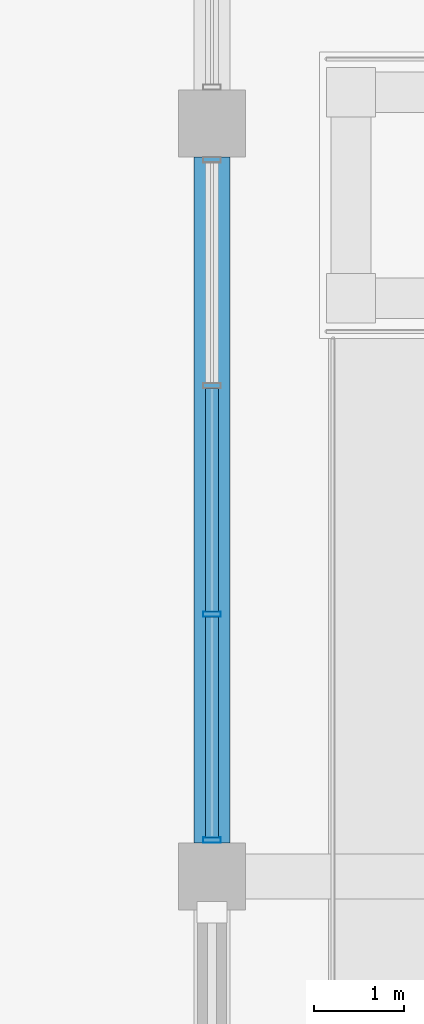
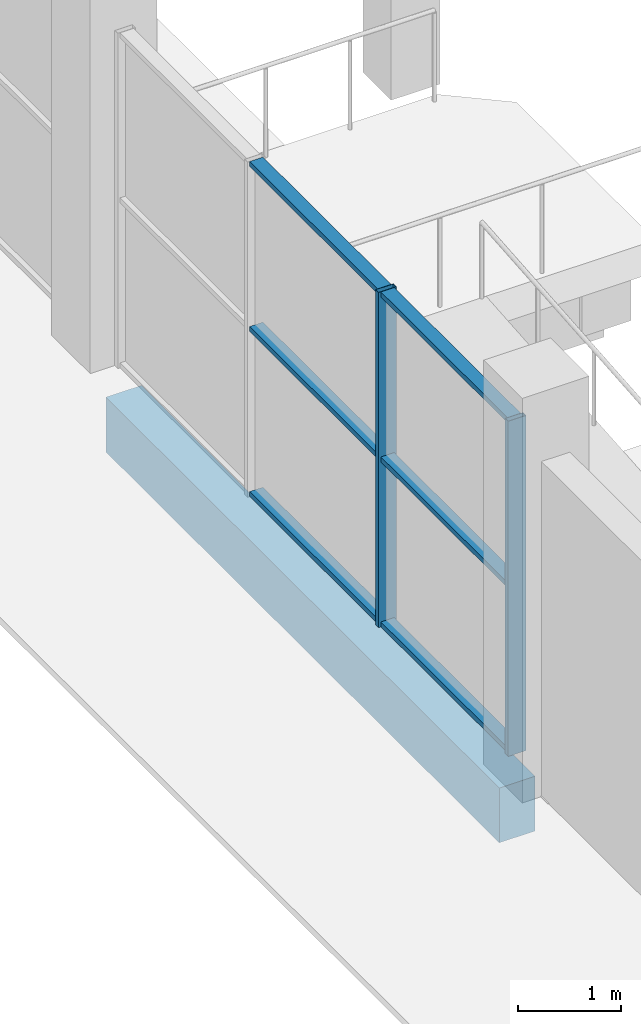
# One storey, part 14 of 130: 8 members, 1 beam, 1 element without a shape of its own.
"""IFC4 building model written with IfcOpenShell, lengths in metres."""

from ifc_helpers import new_model, si_unit, direction, frame, origin, origin_2d, place, context, subcontext, project, spatial, rectangle, hollow_rectangle, extrude, material, material_profile, profile_set, type_object, element, aggregate, save


model = new_model("IFC4")

# Units and contexts
model_context = context("Model", 3, precision=1e-05, world=origin(), true_north=direction((0.0, 1.0)))
body_context = subcontext(model_context, "Body", "Model", "MODEL_VIEW")
ifc_project = project(units=[si_unit("LENGTHUNIT", "METRE"), si_unit("AREAUNIT", "SQUARE_METRE"), si_unit("VOLUMEUNIT", "CUBIC_METRE"), si_unit("PLANEANGLEUNIT", "RADIAN"), si_unit("MASSUNIT", "GRAM", prefix="KILO"), si_unit("THERMODYNAMICTEMPERATUREUNIT", "KELVIN")], contexts=[model_context])

# Site, building, storey
site_placement = place(None, origin())
site = spatial("IfcSite", under=ifc_project, at=site_placement, CompositionType="ELEMENT")
building_placement = place(site_placement, origin())
building = spatial("IfcBuilding", under=site, at=building_placement, Name="Nduvali Passage Aquatics Centre", CompositionType="ELEMENT")
storey_placement = place(building_placement, origin())
storey = spatial("IfcBuildingStorey", under=building, at=storey_placement, Name="L00", CompositionType="ELEMENT", Elevation=0.0)

# Curtain wall, members
ifc_material_1 = material(Name="Aluminium EN AW-6063 T6", Category="aluminium")
curtain_wall_type = type_object("IfcCurtainWallType", Name="ENV-CW-DIVE", PredefinedType="NOTDEFINED", material=ifc_material_1)
curtain_wall_placement = place(storey_placement, origin())
curtain_wall = element("IfcCurtainWall", 1, at=curtain_wall_placement, inside=storey, type_object=curtain_wall_type, Name="L00 West Diving Pool Viewing CW 127", PredefinedType="NOTDEFINED")
ifc_material_profile_1 = material_profile(ifc_material_1, hollow_rectangle(XDim=0.06005859375, YDim=0.199951171875, WallThickness=0.00390625, at=origin_2d()), Name="ALU MULLION 60x200x4")
ifc_profile_set_1 = profile_set([ifc_material_profile_1], Name="Aluminium EN AW-6063 T6")
member_type_1 = type_object("IfcMemberType", Name="ENV-MEM-MUL80", PredefinedType="MULLION", material=ifc_profile_set_1)
member_1_placement = place(storey_placement, frame((0.0, 42.405029296875, 0.0), z_axis=(0.0, 0.0, 1.0), x_axis=(0.0, 1.0, 0.0)))
member_1 = element("IfcMember", 2, at=member_1_placement, type_object=member_type_1, Name="West Diving Pool Viewing CW Mullion 1", PredefinedType="MULLION", context=body_context, shape_type="SweptSolid", body=[
    extrude(hollow_rectangle(XDim=0.06005859375, YDim=0.199951171875, WallThickness=0.00390625, at=origin_2d()), origin(), (0.0, 0.0, 1.0), 3.976318359375),
])
member_2_placement = place(storey_placement, frame((0.0, 44.925048828125, 0.0), z_axis=(0.0, 0.0, 1.0), x_axis=(0.0, 1.0, 0.0)))
member_2 = element("IfcMember", 3, at=member_2_placement, type_object=member_type_1, Name="West Diving Pool Viewing CW Mullion 2", PredefinedType="MULLION", context=body_context, shape_type="SweptSolid", body=[
    extrude(hollow_rectangle(XDim=0.06005859375, YDim=0.199951171875, WallThickness=0.00390625, at=origin_2d()), origin(), (0.0, 0.0, 1.0), 3.976318359375),
])
ifc_material_profile_2 = material_profile(ifc_material_1, hollow_rectangle(XDim=0.14990234375, YDim=0.06005859375, WallThickness=0.00390625, at=origin_2d()), Name="ALU TRANSOM 150x60x4")
ifc_profile_set_2 = profile_set([ifc_material_profile_2], Name="Aluminium EN AW-6063 T6")
member_type_2 = type_object("IfcMemberType", Name="ENV-MEM-TRN80", PredefinedType="USERDEFINED", material=ifc_profile_set_2)
member_3_placement = place(storey_placement, frame((0.0, 42.43505859375, 0.030029296875), z_axis=(0.0, 1.0, 0.0), x_axis=(-1.0, 0.0, 0.0)))
member_3 = element("IfcMember", 4, at=member_3_placement, type_object=member_type_2, Name="West Diving Pool Viewing CW Transom B1-R0", ObjectType="TRANSOM", PredefinedType="USERDEFINED", context=body_context, shape_type="SweptSolid", body=[
    extrude(hollow_rectangle(XDim=0.14990234375, YDim=0.06005859375, WallThickness=0.00390625, at=origin_2d()), origin(), (0.0, 0.0, 1.0), 2.4599609375),
])
member_4_placement = place(storey_placement, frame((0.0, 42.43505859375, 1.98828125), z_axis=(0.0, 1.0, 0.0), x_axis=(-1.0, 0.0, 0.0)))
member_4 = element("IfcMember", 5, at=member_4_placement, type_object=member_type_2, Name="West Diving Pool Viewing CW Transom B1-R1", ObjectType="TRANSOM", PredefinedType="USERDEFINED", context=body_context, shape_type="SweptSolid", body=[
    extrude(hollow_rectangle(XDim=0.14990234375, YDim=0.06005859375, WallThickness=0.00390625, at=origin_2d()), origin(), (0.0, 0.0, 1.0), 2.4599609375),
])
member_5_placement = place(storey_placement, frame((0.0, 42.43505859375, 3.9462890625), z_axis=(0.0, 1.0, 0.0), x_axis=(-1.0, 0.0, 0.0)))
member_5 = element("IfcMember", 6, at=member_5_placement, type_object=member_type_2, Name="West Diving Pool Viewing CW Transom B1-R2", ObjectType="TRANSOM", PredefinedType="USERDEFINED", context=body_context, shape_type="SweptSolid", body=[
    extrude(hollow_rectangle(XDim=0.14990234375, YDim=0.06005859375, WallThickness=0.00390625, at=origin_2d()), origin(), (0.0, 0.0, 1.0), 2.4599609375),
])
member_6_placement = place(storey_placement, frame((0.0, 44.955078125, 0.030029296875), z_axis=(0.0, 1.0, 0.0), x_axis=(-1.0, 0.0, 0.0)))
member_6 = element("IfcMember", 7, at=member_6_placement, type_object=member_type_2, Name="West Diving Pool Viewing CW Transom B2-R0", ObjectType="TRANSOM", PredefinedType="USERDEFINED", context=body_context, shape_type="SweptSolid", body=[
    extrude(hollow_rectangle(XDim=0.14990234375, YDim=0.06005859375, WallThickness=0.00390625, at=origin_2d()), origin(), (0.0, 0.0, 1.0), 2.489990234375),
])
member_7_placement = place(storey_placement, frame((0.0, 44.955078125, 1.98828125), z_axis=(0.0, 1.0, 0.0), x_axis=(-1.0, 0.0, 0.0)))
member_7 = element("IfcMember", 8, at=member_7_placement, type_object=member_type_2, Name="West Diving Pool Viewing CW Transom B2-R1", ObjectType="TRANSOM", PredefinedType="USERDEFINED", context=body_context, shape_type="SweptSolid", body=[
    extrude(hollow_rectangle(XDim=0.14990234375, YDim=0.06005859375, WallThickness=0.00390625, at=origin_2d()), origin(), (0.0, 0.0, 1.0), 2.489990234375),
])
member_8_placement = place(storey_placement, frame((0.0, 44.955078125, 3.9462890625), z_axis=(0.0, 1.0, 0.0), x_axis=(-1.0, 0.0, 0.0)))
member_8 = element("IfcMember", 9, at=member_8_placement, type_object=member_type_2, Name="West Diving Pool Viewing CW Transom B2-R2", ObjectType="TRANSOM", PredefinedType="USERDEFINED", context=body_context, shape_type="SweptSolid", body=[
    extrude(hollow_rectangle(XDim=0.14990234375, YDim=0.06005859375, WallThickness=0.00390625, at=origin_2d()), origin(), (0.0, 0.0, 1.0), 2.489990234375),
])
aggregate(curtain_wall, [member_1, member_2, member_3, member_4, member_5, member_6, member_7, member_8])

# Beam
ifc_material_2 = material(Name="Concrete C40/50", Category="concrete")
ifc_material_profile_3 = material_profile(ifc_material_2, rectangle(XDim=0.39990234375, YDim=0.64990234375, at=origin_2d()), Name="RC 400x650")
ifc_profile_set_3 = profile_set([ifc_material_profile_3], Name="Concrete C40/50")
beam_type = type_object("IfcBeamType", Name="STR-SPN-RC4065-EXT", PredefinedType="SPANDREL", material=ifc_profile_set_3)
beam_placement = place(storey_placement, frame((0.0, 42.375, -0.6650390625), z_axis=(0.0, 1.0, 0.0), x_axis=(-1.0, 0.0, 0.0)))
element("IfcBeam", 10, at=beam_placement, inside=storey, type_object=beam_type, Name="L00 Primary Y-Girder SP1E-0114", PredefinedType="SPANDREL", context=body_context, shape_type="SweptSolid", body=[
    extrude(rectangle(XDim=0.39990234375, YDim=0.64990234375, at=origin_2d()), origin(), (0.0, 0.0, 1.0), 7.64990234375),
])

save(model, "model.ifc")
